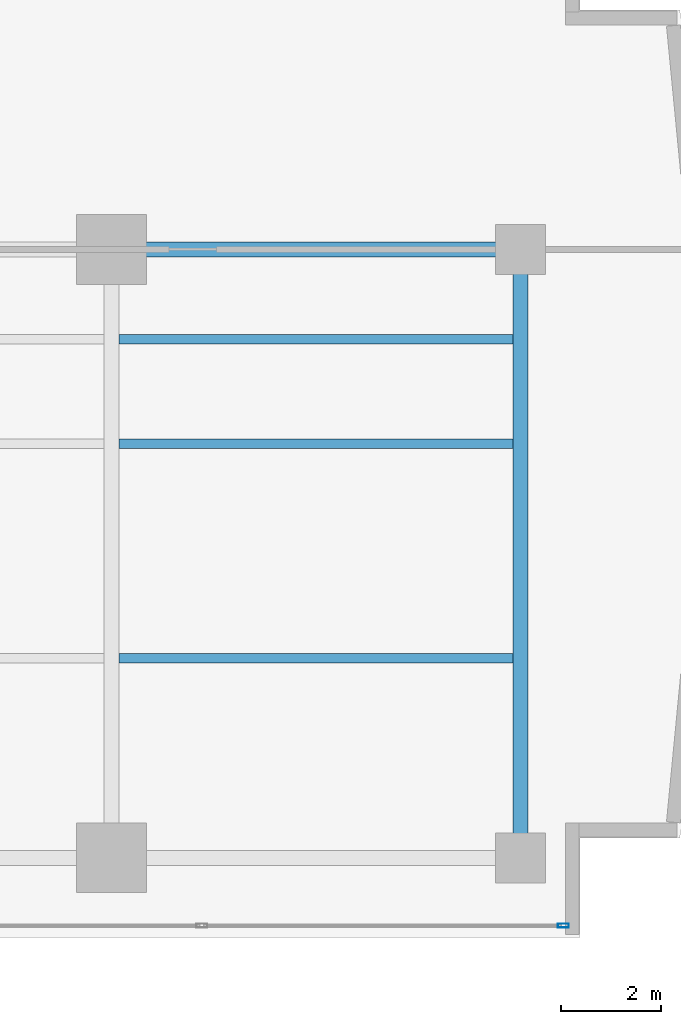
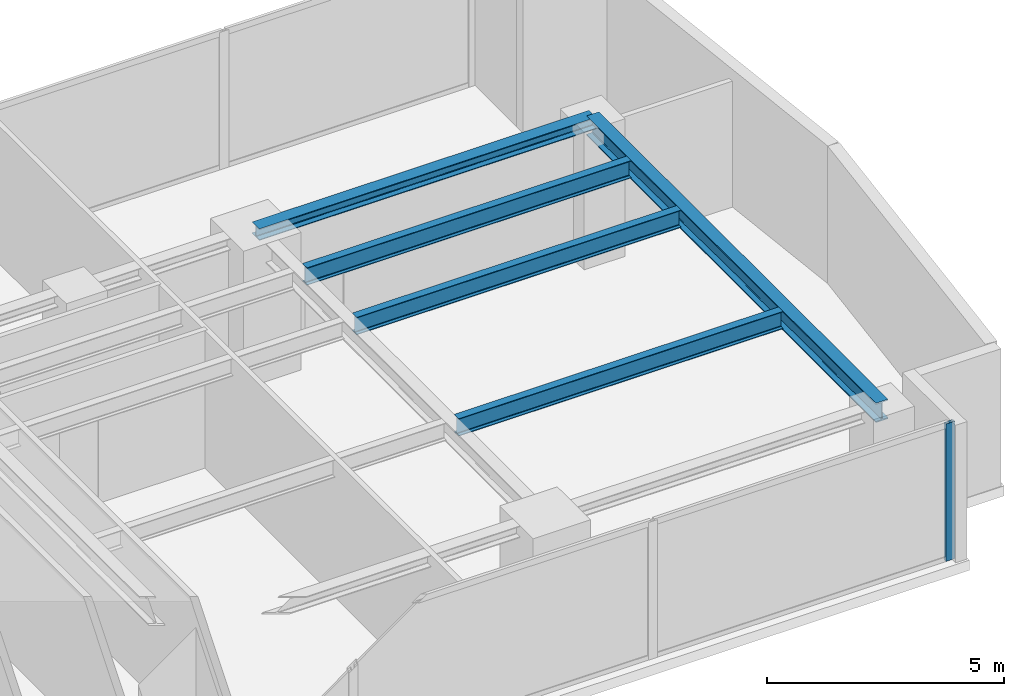
# One storey, part 14 of 26: 5 beams, 1 member, 1 element without a shape of its own.
"""IFC4 building model written with IfcOpenShell, lengths in metres."""

from ifc_helpers import new_model, si_unit, direction, frame, origin, origin_with_axes, origin_2d, place, context, subcontext, project, spatial, hollow_rectangle, i_section, extrude, source, transform, mapped, material, layer, layer_set, material_profile, profile_set, type_object, element, aggregate, save


model = new_model("IFC4")

# Units and contexts
model_context = context("Model", 3, precision=1e-05, world=origin(), true_north=direction((0.0, 1.0)))
body_context = subcontext(model_context, "Body", "Model", "MODEL_VIEW")
ifc_project = project(units=[si_unit("LENGTHUNIT", "METRE"), si_unit("AREAUNIT", "SQUARE_METRE"), si_unit("VOLUMEUNIT", "CUBIC_METRE"), si_unit("PLANEANGLEUNIT", "RADIAN"), si_unit("MASSUNIT", "GRAM", prefix="KILO")], contexts=[model_context])

# Site, building, storey
site_placement = place(None, origin())
site = spatial("IfcSite", under=ifc_project, at=site_placement, CompositionType="ELEMENT")
building_placement = place(site_placement, origin())
building = spatial("IfcBuilding", under=site, at=building_placement, Name="Kolvaren Waterfront Exchange", CompositionType="ELEMENT")
storey_placement = place(building_placement, frame((0.0, 0.0, 99.300048828125)))
storey = spatial("IfcBuildingStorey", under=building, at=storey_placement, Name="L25", CompositionType="ELEMENT", Elevation=99.300048828125)

# Beams
ifc_material_1 = material(Name="Steel S355", Category="steel")
ifc_material_profile_1 = material_profile(ifc_material_1, i_section(OverallWidth=0.300048828125, OverallDepth=0.300048828125, WebThickness=0.010986328125, FlangeThickness=0.01904296875, FilletRadius=0.027099609375, at=origin_2d()), Name="HEB300")
ifc_profile_set_1 = profile_set([ifc_material_profile_1], Name="Steel S355")
beam_type_1 = type_object("IfcBeamType", Name="STR-BM-HEB300", PredefinedType="SPANDREL", material=ifc_profile_set_1)
beam_1_placement = place(storey_placement, frame((45.60009765625, 17.39990234375, 3.389892578125), z_axis=(1.0, 0.0, 0.0), x_axis=(0.0, 1.0, 0.0)))
element("IfcBeam", 1, at=beam_1_placement, inside=storey, type_object=beam_type_1, Name="L25 east-arm spandrel N4", PredefinedType="SPANDREL", context=body_context, shape_type="SweptSolid", body=[
    extrude(i_section(OverallWidth=0.300048828125, OverallDepth=0.300048828125, WebThickness=0.010986328125, FlangeThickness=0.01904296875, FilletRadius=0.027099609375, at=origin_2d()), origin(), (0.0, 0.0, 1.0), 8.199951171875),
])
ifc_material_profile_2 = material_profile(ifc_material_1, i_section(OverallWidth=0.300048828125, OverallDepth=0.5, WebThickness=0.014404296875, FlangeThickness=0.028076171875, FilletRadius=0.027099609375, at=origin_2d()), Name="HEB500")
ifc_profile_set_2 = profile_set([ifc_material_profile_2], Name="Steel S355")
beam_type_2 = type_object("IfcBeamType", Name="STR-BM-HEB500", PredefinedType="BEAM", material=ifc_profile_set_2)
beam_2_placement = place(storey_placement, frame((53.800048828125, 5.199951171875, 3.2900390625), z_axis=(0.0, 1.0, 0.0), x_axis=(-1.0, 0.0, 0.0)))
element("IfcBeam", 2, at=beam_2_placement, inside=storey, type_object=beam_type_2, Name="L25 east-arm transverse girder X53", PredefinedType="BEAM", context=body_context, shape_type="SweptSolid", body=[
    extrude(i_section(OverallWidth=0.300048828125, OverallDepth=0.5, WebThickness=0.014404296875, FlangeThickness=0.028076171875, FilletRadius=0.027099609375, at=origin_2d()), origin(), (0.0, 0.0, 1.0), 12.199951171875),
])
ifc_material_profile_3 = material_profile(ifc_material_1, i_section(OverallWidth=0.18994140625, OverallDepth=0.449951171875, WebThickness=0.009521484375, FlangeThickness=0.0146484375, FilletRadius=0.02099609375, at=origin_2d()), Name="IPE450")
ifc_profile_set_3 = profile_set([ifc_material_profile_3], Name="Steel S355")
beam_type_3 = type_object("IfcBeamType", Name="STR-BM-IPE450", PredefinedType="JOIST", material=ifc_profile_set_3)
for number, where, z_axis, x_axis, name in (
    (3, (45.751953125, 13.5, 3.31494140625), (1.0, 0.0, 0.0), (0.0, 1.0, 0.0), "L25 east-arm composite joist 4A"),
    (4, (45.751953125, 15.60009765625, 3.31494140625), (1.0, 0.0, 0.0), (0.0, 1.0, 0.0), "L25 east-arm composite joist 4C"),
    (5, (45.751953125, 9.199951171875, 3.31494140625), (1.0, 0.0, 0.0), (0.0, 1.0, 0.0), "L25 east-arm composite joist 4B"),
):
    element("IfcBeam", number, at=place(storey_placement, frame(where, z_axis=z_axis, x_axis=x_axis)), inside=storey, type_object=beam_type_3, Name=name, PredefinedType="JOIST", context=body_context, shape_type="SweptSolid", body=[
        extrude(i_section(OverallWidth=0.18994140625, OverallDepth=0.449951171875, WebThickness=0.009521484375, FlangeThickness=0.0146484375, FilletRadius=0.02099609375, at=origin_2d()), origin(), (0.0, 0.0, 1.0), 7.89599609375),
    ])

# Curtain wall, member
ifc_material_2 = material(Name="Anodised bronze aluminium 6063-T6", Category="aluminium")
ifc_layer = layer(ifc_material_2, 0.219970703125, Name="Anodised bronze aluminium 6063-T6")
ifc_layer_set = layer_set([ifc_layer], Name="Anodised bronze aluminium 6063-T6")
curtain_wall_type = type_object("IfcCurtainWallType", Name="ARC-CW-SYS1", PredefinedType="USERDEFINED", material=ifc_layer_set)
curtain_wall_placement = place(storey_placement, origin())
curtain_wall = element("IfcCurtainWall", 6, at=curtain_wall_placement, inside=storey, type_object=curtain_wall_type, Name="L25 stick curtain wall CW1 (CW-L25-S)", ObjectType="STICK CURTAIN WALL", PredefinedType="USERDEFINED")
ifc_material_3 = material(Name="Anodised aluminium 6063-T6", Category="aluminium")
ifc_material_profile_4 = material_profile(ifc_material_3, hollow_rectangle(XDim=0.080078125, YDim=0.219970703125, WallThickness=0.0048828125, at=origin_2d()), Name="ALU-MUL-220x80x5")
ifc_profile_set_4 = profile_set([ifc_material_profile_4], Name="Anodised aluminium 6063-T6")
member_type = type_object("IfcMemberType", Name="ARC-CWM-220", PredefinedType="MULLION", material=ifc_profile_set_4)
shared_shape = source(origin_with_axes(), body_context, "Body", "SweptSolid", [
    extrude(hollow_rectangle(XDim=0.080078125, YDim=0.219970703125, WallThickness=0.0048828125, at=origin_2d()), origin(), (0.0, 0.0, 1.0), 3.5400390625),
])
member_placement = place(storey_placement, frame((54.659912109375, 3.840087890625, 0.0), z_axis=(0.0, 0.0, 1.0), x_axis=(0.0, 1.0, 0.0)))
member = element("IfcMember", 7, at=member_placement, type_object=member_type, Name="CW1 mullion 8", PredefinedType="MULLION", context=body_context, shape_type="MappedRepresentation", body=[
    mapped(shared_shape, transform((0.0, 0.0, 0.0), x_axis=(1.0, 0.0, 0.0), y_axis=(0.0, 1.0, 0.0), z_axis=(0.0, 0.0, 1.0), scale=1.0)),
])
aggregate(curtain_wall, [member])

save(model, "model.ifc")
